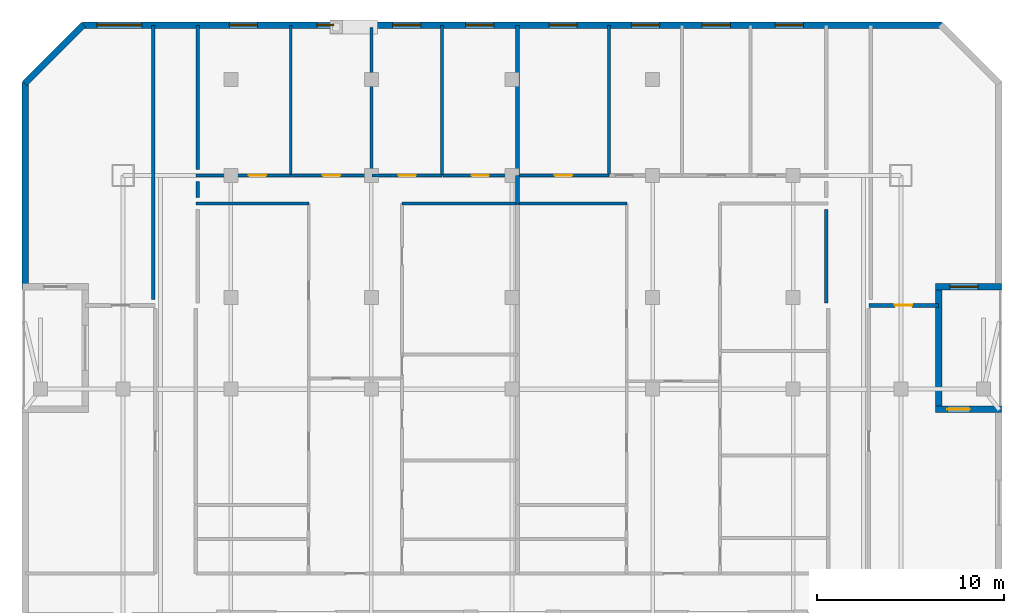
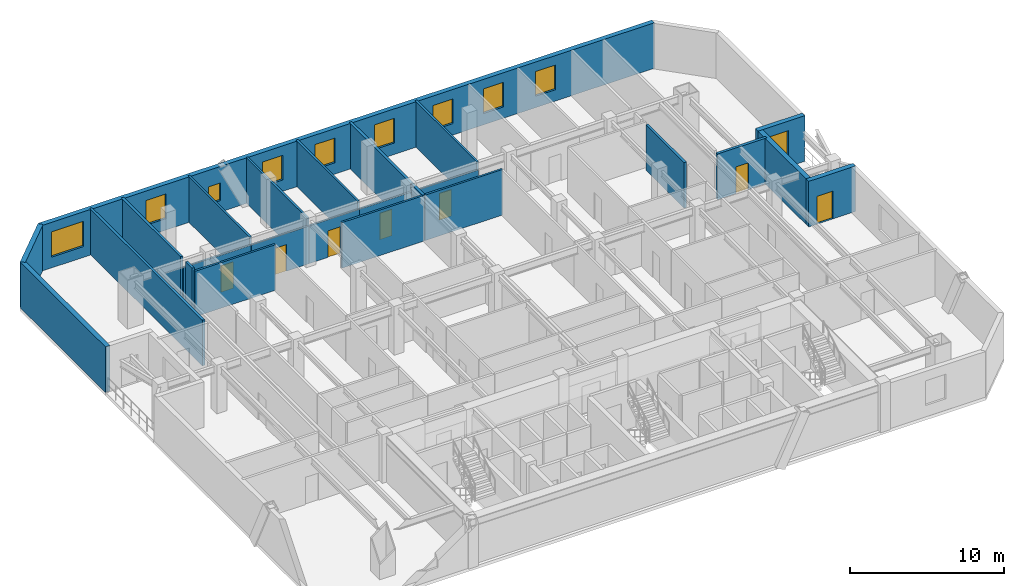
# One storey, part 6 of 9: 25 walls, 10 windows, 7 doors, 17 openings.
"""IFC4 building model written with IfcOpenShell, lengths in metres."""

from ifc_helpers import new_model, si_unit, direction, frame, frame_2d, origin, place, context, subcontext, project, spatial, rectangle, extrude, material, layer, layer_set, type_object, element, fill, save


model = new_model("IFC4")

# Units and contexts
model_context = context("Model", 3, precision=1e-05, world=origin(), true_north=direction((0.0, 1.0)))
body_context = subcontext(model_context, "Body", "Model", "MODEL_VIEW")
ifc_project = project(units=[si_unit("LENGTHUNIT", "METRE"), si_unit("AREAUNIT", "SQUARE_METRE"), si_unit("VOLUMEUNIT", "CUBIC_METRE"), si_unit("PLANEANGLEUNIT", "RADIAN"), si_unit("MASSUNIT", "GRAM", prefix="KILO")], contexts=[model_context])

# Site, building, storey
site_placement = place(None, origin())
site = spatial("IfcSite", under=ifc_project, at=site_placement, CompositionType="ELEMENT")
building_placement = place(site_placement, origin())
building = spatial("IfcBuilding", under=site, at=building_placement, Name="Ventersveld Concourse Tower", CompositionType="ELEMENT")
storey_placement = place(building_placement, frame((0.0, 0.0, 108.0)))
storey = spatial("IfcBuildingStorey", under=building, at=storey_placement, Name="L26", CompositionType="ELEMENT", Elevation=108.0)

# Walls
ifc_material_1 = material(Name="Fire-rated autoclaved aerated masonry blockwork", Category="masonry")
ifc_layer_1 = layer(ifc_material_1, 0.179931640625)
ifc_layer_set_1 = layer_set([ifc_layer_1], Name="Fire-rated autoclaved aerated masonry blockwork")
wall_type_1 = type_object("IfcWallType", Name="WL-CORR-180", PredefinedType="PARTITIONING", material=ifc_layer_set_1)
wall_1_placement = place(storey_placement, frame((9.6201171875, 42.989990234375, 0.0), z_axis=(0.0, 0.0, 1.0), x_axis=(0.0, -1.0, 0.0)))
element("IfcWall", 1, at=wall_1_placement, inside=storey, type_object=wall_type_1, Name="L26 Room Enclosure Wall SP-L26-NWLNG2", PredefinedType="PARTITIONING", context=body_context, shape_type="SweptSolid", body=[
    extrude(rectangle(XDim=14.594970703125, YDim=0.179931640625, at=frame_2d((7.29736328125, 0.0))), origin(), (0.0, 0.0, 1.0), 3.60009765625),
])
wall_2_placement = place(storey_placement, frame((11.97998046875, 33.824951171875, 0.0), z_axis=(0.0, 0.0, 1.0), x_axis=(0.0, 1.0, 0.0)))
element("IfcWall", 2, at=wall_2_placement, inside=storey, type_object=wall_type_1, Name="L26 Room Enclosure Wall SP-L26-26N1-LIV", PredefinedType="PARTITIONING", context=body_context, shape_type="SweptSolid", body=[
    extrude(rectangle(XDim=0.85009765625, YDim=0.179931640625, at=frame_2d((0.425048828125, 0.0))), origin(), (0.0, 0.0, 1.0), 3.60009765625),
])
wall_3_placement = place(storey_placement, frame((11.97998046875, 35.324951171875, 0.0), z_axis=(0.0, 0.0, 1.0), x_axis=(0.0, 1.0, 0.0)))
element("IfcWall", 3, at=wall_3_placement, inside=storey, type_object=wall_type_1, Name="L26 Room Enclosure Wall SP-L26-26N1-BR1", PredefinedType="PARTITIONING", context=body_context, shape_type="SweptSolid", body=[
    extrude(rectangle(XDim=7.6650390625, YDim=0.179931640625, at=frame_2d((3.83251953125, 0.0))), origin(), (0.0, 0.0, 1.0), 3.60009765625),
])
wall_4_placement = place(storey_placement, frame((45.52001953125, 33.175048828125, 0.0), z_axis=(0.0, 0.0, 1.0), x_axis=(0.0, -1.0, 0.0)))
element("IfcWall", 4, at=wall_4_placement, inside=storey, type_object=wall_type_1, Name="L26 Room Enclosure Wall SP-L26-26N2-DENS2", PredefinedType="PARTITIONING", context=body_context, shape_type="SweptSolid", body=[
    extrude(rectangle(XDim=4.965087890625, YDim=0.179931640625, at=frame_2d((2.482421875, 0.0))), origin(), (0.0, 0.0, 1.0), 3.60009765625),
])

# Wall, opening, door
ifc_layer_2 = layer(ifc_material_1, 0.199951171875)
ifc_layer_set_2 = layer_set([ifc_layer_2], Name="Fire-rated autoclaved aerated masonry blockwork")
wall_type_2 = type_object("IfcWallType", Name="WL-DEMISE-200", PredefinedType="PARTITIONING", material=ifc_layer_set_2)
wall_5_placement = place(storey_placement, frame((47.784912109375, 28.070068359375, 0.0), z_axis=(0.0, 0.0, 1.0), x_axis=(1.0, 0.0, 0.0)))
wall_5 = element("IfcWall", 5, at=wall_5_placement, inside=storey, type_object=wall_type_2, Name="L26 Interior Partition SP-L26-NELNG1-SP-L26-NELNG2", PredefinedType="PARTITIONING", context=body_context, shape_type="SweptSolid", body=[
    extrude(rectangle(XDim=3.705078125, YDim=0.199951171875, at=frame_2d((1.8525390625, 0.0))), origin(), (0.0, 0.0, 1.0), 3.60009765625),
])
opening_1_placement = place(wall_5_placement, frame((1.392578125, 0.0, 0.0)))
opening_1 = element("IfcOpeningElement", 6, at=opening_1_placement, cuts=wall_5, Name="Opening ID1", PredefinedType="OPENING", context=body_context, shape_type="SweptSolid", body=[
    extrude(rectangle(XDim=0.919921875, YDim=2.10009765625, at=frame_2d((0.4599609375, 1.050048828125))), frame((0.0, 0.10986328125, 0.0), z_axis=(0.0, -1.0, 0.0), x_axis=(1.0, 0.0, 0.0)), (0.0, 0.0, 1.0), 0.219970703125),
])
ifc_material_2 = material(Name="Solid-core hardwood veneer timber", Category="wood")
door_type_1 = type_object("IfcDoorType", Name="DR-ROOM-092", OperationType="NOTDEFINED", PredefinedType="DOOR", material=ifc_material_2)
door_1_placement = place(opening_1_placement, origin())
door_1 = element("IfcDoor", 7, at=door_1_placement, inside=storey, type_object=door_type_1, Name="L26 Interior Door SP-L26-NELNG1 to SP-L26-NELNG2 (D-L26-1282)", OperationType="SINGLE_SWING_RIGHT", OverallHeight=2.10009765625, OverallWidth=0.919921875, PredefinedType="DOOR", context=body_context, shape_type="SweptSolid", body=[
    extrude(rectangle(XDim=0.919921875, YDim=2.10009765625, at=frame_2d((0.4599609375, 1.050048828125))), frame((0.0, 0.02490234375, 0.0), z_axis=(0.0, -1.0, 0.0), x_axis=(1.0, 0.0, 0.0)), (0.0, 0.0, 1.0), 0.050048828125),
])
fill(opening_1, door_1)

# Walls
wall_6_placement = place(storey_placement, frame((29.036865234375, 33.4951171875, 0.0), z_axis=(0.0, 0.0, 1.0), x_axis=(0.0, 1.0, 0.0)))
element("IfcWall", 8, at=wall_6_placement, inside=storey, type_object=wall_type_2, Name="L26 Interior Partition SP-L26-26N1-LIV-SP-L26-26N2-LIV", PredefinedType="PARTITIONING", context=body_context, shape_type="SweptSolid", body=[
    extrude(rectangle(XDim=1.509765625, YDim=0.199951171875, at=frame_2d((0.7548828125, 0.0))), origin(), (0.0, 0.0, 1.0), 3.60009765625),
])
wall_7_placement = place(storey_placement, frame((29.036865234375, 35.034912109375, 0.0), z_axis=(0.0, 0.0, 1.0), x_axis=(0.0, 1.0, 0.0)))
element("IfcWall", 9, at=wall_7_placement, inside=storey, type_object=wall_type_2, Name="L26 Interior Partition SP-L26-26N1-BR4-SP-L26-26N2-BR1", PredefinedType="PARTITIONING", context=body_context, shape_type="SweptSolid", body=[
    extrude(rectangle(XDim=7.955078125, YDim=0.199951171875, at=frame_2d((3.9775390625, 0.0))), origin(), (0.0, 0.0, 1.0), 3.60009765625),
])
ifc_material_3 = material(Name="Autoclaved aerated masonry blockwork", Category="masonry")
ifc_layer_3 = layer(ifc_material_3, 0.14990234375)
ifc_layer_set_3 = layer_set([ifc_layer_3], Name="Autoclaved aerated masonry blockwork")
wall_type_3 = type_object("IfcWallType", Name="WL-INT-150", PredefinedType="PARTITIONING", material=ifc_layer_set_3)
wall_8_placement = place(storey_placement, frame((11.885009765625, 33.5, 0.0), z_axis=(0.0, 0.0, 1.0), x_axis=(1.0, 0.0, 0.0)))
element("IfcWall", 10, at=wall_8_placement, inside=storey, type_object=wall_type_3, Name="L26 Interior Partition SP-L26-26N1-LIV-SP-L26-26N1-OFFL0", PredefinedType="PARTITIONING", context=body_context, shape_type="SweptSolid", body=[
    extrude(rectangle(XDim=6.02294921875, YDim=0.14990234375, at=frame_2d((3.011474609375, 0.0))), origin(), (0.0, 0.0, 1.0), 3.60009765625),
])
wall_9_placement = place(storey_placement, frame((22.8779296875, 33.5, 0.0), z_axis=(0.0, 0.0, 1.0), x_axis=(1.0, 0.0, 0.0)))
element("IfcWall", 11, at=wall_9_placement, inside=storey, type_object=wall_type_3, Name="L26 Interior Partition SP-L26-26N1-LIV-SP-L26-26N1-DENS2", PredefinedType="PARTITIONING", context=body_context, shape_type="SweptSolid", body=[
    extrude(rectangle(XDim=6.1640625, YDim=0.14990234375, at=frame_2d((3.08203125, 0.0))), origin(), (0.0, 0.0, 1.0), 3.60009765625),
])

# Wall, opening, door
wall_10_placement = place(storey_placement, frame((11.885009765625, 35.0, 0.0), z_axis=(0.0, 0.0, 1.0), x_axis=(1.0, 0.0, 0.0)))
wall_10 = element("IfcWall", 12, at=wall_10_placement, inside=storey, type_object=wall_type_3, Name="L26 Interior Partition SP-L26-26N1-LIV-SP-L26-26N1-BR1", PredefinedType="PARTITIONING", context=body_context, shape_type="SweptSolid", body=[
    extrude(rectangle(XDim=5.066650390625, YDim=0.14990234375, at=frame_2d((2.533203125, 0.0))), origin(), (0.0, 0.0, 1.0), 2.98291015625),
])
opening_2_placement = place(wall_10_placement, frame((2.83349609375, 0.0, 0.0)))
opening_2 = element("IfcOpeningElement", 13, at=opening_2_placement, cuts=wall_10, Name="Opening ID1", PredefinedType="OPENING", context=body_context, shape_type="SweptSolid", body=[
    extrude(rectangle(XDim=0.919921875, YDim=2.10009765625, at=frame_2d((0.4599609375, 1.050048828125))), frame((0.0, 0.0849609375, 0.0), z_axis=(0.0, -1.0, 0.0), x_axis=(1.0, 0.0, 0.0)), (0.0, 0.0, 1.0), 0.169921875),
])
door_2_placement = place(opening_2_placement, origin())
door_2 = element("IfcDoor", 14, at=door_2_placement, inside=storey, type_object=door_type_1, Name="L26 Interior Door SP-L26-26N1-LIV to SP-L26-26N1-BR1 (D-L26-1293)", OperationType="SINGLE_SWING_LEFT", OverallHeight=2.10009765625, OverallWidth=0.919921875, PredefinedType="DOOR", context=body_context, shape_type="SweptSolid", body=[
    extrude(rectangle(XDim=0.919921875, YDim=2.10009765625, at=frame_2d((0.4599609375, 1.050048828125))), frame((0.0, 0.02490234375, 0.0), z_axis=(0.0, -1.0, 0.0), x_axis=(1.0, 0.0, 0.0)), (0.0, 0.0, 1.0), 0.050048828125),
])
fill(opening_2, door_2)

wall_11_placement = place(storey_placement, frame((16.981689453125, 35.0, 0.0), z_axis=(0.0, 0.0, 1.0), x_axis=(1.0, 0.0, 0.0)))
wall_11 = element("IfcWall", 15, at=wall_11_placement, inside=storey, type_object=wall_type_3, Name="L26 Interior Partition SP-L26-26N1-LIV-SP-L26-26N1-BR2", PredefinedType="PARTITIONING", context=body_context, shape_type="SweptSolid", body=[
    extrude(rectangle(XDim=4.273193359375, YDim=0.14990234375, at=frame_2d((2.13671875, 0.0))), origin(), (0.0, 0.0, 1.0), 2.98291015625),
])
opening_3_placement = place(wall_11_placement, frame((1.676513671875, 0.0, 0.0)))
opening_3 = element("IfcOpeningElement", 16, at=opening_3_placement, cuts=wall_11, Name="Opening ID1", PredefinedType="OPENING", context=body_context, shape_type="SweptSolid", body=[
    extrude(rectangle(XDim=0.919921875, YDim=2.10009765625, at=frame_2d((0.4599609375, 1.050048828125))), frame((0.0, 0.0849609375, 0.0), z_axis=(0.0, -1.0, 0.0), x_axis=(1.0, 0.0, 0.0)), (0.0, 0.0, 1.0), 0.169921875),
])
door_3_placement = place(opening_3_placement, origin())
door_3 = element("IfcDoor", 17, at=door_3_placement, inside=storey, type_object=door_type_1, Name="L26 Interior Door SP-L26-26N1-LIV to SP-L26-26N1-BR2 (D-L26-1294)", OperationType="SINGLE_SWING_RIGHT", OverallHeight=2.10009765625, OverallWidth=0.919921875, PredefinedType="DOOR", context=body_context, shape_type="SweptSolid", body=[
    extrude(rectangle(XDim=0.919921875, YDim=2.10009765625, at=frame_2d((0.4599609375, 1.050048828125))), frame((0.0, 0.02490234375, 0.0), z_axis=(0.0, -1.0, 0.0), x_axis=(1.0, 0.0, 0.0)), (0.0, 0.0, 1.0), 0.050048828125),
])
fill(opening_3, door_3)

wall_12_placement = place(storey_placement, frame((21.284912109375, 35.0, 0.0), z_axis=(0.0, 0.0, 1.0), x_axis=(1.0, 0.0, 0.0)))
wall_12 = element("IfcWall", 18, at=wall_12_placement, inside=storey, type_object=wall_type_3, Name="L26 Interior Partition SP-L26-26N1-LIV-SP-L26-26N1-BR3", PredefinedType="PARTITIONING", context=body_context, shape_type="SweptSolid", body=[
    extrude(rectangle(XDim=3.743408203125, YDim=0.14990234375, at=frame_2d((1.87158203125, 0.0))), origin(), (0.0, 0.0, 1.0), 2.98291015625),
])
opening_4_placement = place(wall_12_placement, frame((1.41162109375, 0.0, 0.0)))
opening_4 = element("IfcOpeningElement", 19, at=opening_4_placement, cuts=wall_12, Name="Opening ID1", PredefinedType="OPENING", context=body_context, shape_type="SweptSolid", body=[
    extrude(rectangle(XDim=0.919921875, YDim=2.10009765625, at=frame_2d((0.4599609375, 1.050048828125))), frame((0.0, 0.0849609375, 0.0), z_axis=(0.0, -1.0, 0.0), x_axis=(1.0, 0.0, 0.0)), (0.0, 0.0, 1.0), 0.169921875),
])
door_4_placement = place(opening_4_placement, origin())
door_4 = element("IfcDoor", 20, at=door_4_placement, inside=storey, type_object=door_type_1, Name="L26 Interior Door SP-L26-26N1-LIV to SP-L26-26N1-BR3 (D-L26-1295)", OperationType="SINGLE_SWING_LEFT", OverallHeight=2.10009765625, OverallWidth=0.919921875, PredefinedType="DOOR", context=body_context, shape_type="SweptSolid", body=[
    extrude(rectangle(XDim=0.919921875, YDim=2.10009765625, at=frame_2d((0.4599609375, 1.050048828125))), frame((0.0, 0.02490234375, 0.0), z_axis=(0.0, -1.0, 0.0), x_axis=(1.0, 0.0, 0.0)), (0.0, 0.0, 1.0), 0.050048828125),
])
fill(opening_4, door_4)

wall_13_placement = place(storey_placement, frame((25.058349609375, 35.0, 0.0), z_axis=(0.0, 0.0, 1.0), x_axis=(1.0, 0.0, 0.0)))
wall_13 = element("IfcWall", 21, at=wall_13_placement, inside=storey, type_object=wall_type_3, Name="L26 Interior Partition SP-L26-26N1-LIV-SP-L26-26N1-BR4", PredefinedType="PARTITIONING", context=body_context, shape_type="SweptSolid", body=[
    extrude(rectangle(XDim=3.983642578125, YDim=0.14990234375, at=frame_2d((1.99169921875, 0.0))), origin(), (0.0, 0.0, 1.0), 2.98291015625),
])
opening_5_placement = place(wall_13_placement, frame((1.53173828125, 0.0, 0.0)))
opening_5 = element("IfcOpeningElement", 22, at=opening_5_placement, cuts=wall_13, Name="Opening ID1", PredefinedType="OPENING", context=body_context, shape_type="SweptSolid", body=[
    extrude(rectangle(XDim=0.919921875, YDim=2.10009765625, at=frame_2d((0.4599609375, 1.050048828125))), frame((0.0, 0.0849609375, 0.0), z_axis=(0.0, -1.0, 0.0), x_axis=(1.0, 0.0, 0.0)), (0.0, 0.0, 1.0), 0.169921875),
])
door_5_placement = place(opening_5_placement, origin())
door_5 = element("IfcDoor", 23, at=door_5_placement, inside=storey, type_object=door_type_1, Name="L26 Interior Door SP-L26-26N1-LIV to SP-L26-26N1-BR4 (D-L26-1296)", OperationType="SINGLE_SWING_RIGHT", OverallHeight=2.10009765625, OverallWidth=0.919921875, PredefinedType="DOOR", context=body_context, shape_type="SweptSolid", body=[
    extrude(rectangle(XDim=0.919921875, YDim=2.10009765625, at=frame_2d((0.4599609375, 1.050048828125))), frame((0.0, 0.02490234375, 0.0), z_axis=(0.0, -1.0, 0.0), x_axis=(1.0, 0.0, 0.0)), (0.0, 0.0, 1.0), 0.050048828125),
])
fill(opening_5, door_5)

# Walls
wall_14_placement = place(storey_placement, frame((16.94677734375, 34.9951171875, 0.0), z_axis=(0.0, 0.0, 1.0), x_axis=(0.0, 1.0, 0.0)))
element("IfcWall", 24, at=wall_14_placement, inside=storey, type_object=wall_type_3, Name="L26 Interior Partition SP-L26-26N1-BR1-SP-L26-26N1-BR2", PredefinedType="PARTITIONING", context=body_context, shape_type="SweptSolid", body=[
    extrude(rectangle(XDim=7.994873046875, YDim=0.14990234375, at=frame_2d((3.99755859375, 0.0))), origin(), (0.0, 0.0, 1.0), 3.60009765625),
])
wall_15_placement = place(storey_placement, frame((21.25, 34.9951171875, 0.0), z_axis=(0.0, 0.0, 1.0), x_axis=(0.0, 1.0, 0.0)))
element("IfcWall", 25, at=wall_15_placement, inside=storey, type_object=wall_type_3, Name="L26 Interior Partition SP-L26-26N1-BR2-SP-L26-26N1-BR3", PredefinedType="PARTITIONING", context=body_context, shape_type="SweptSolid", body=[
    extrude(rectangle(XDim=7.906982421875, YDim=0.14990234375, at=frame_2d((3.95361328125, 0.0))), origin(), (0.0, 0.0, 1.0), 3.60009765625),
])
wall_16_placement = place(storey_placement, frame((25.0234375, 34.9951171875, 0.0), z_axis=(0.0, 0.0, 1.0), x_axis=(0.0, 1.0, 0.0)))
element("IfcWall", 26, at=wall_16_placement, inside=storey, type_object=wall_type_3, Name="L26 Interior Partition SP-L26-26N1-BR3-SP-L26-26N1-BR4", PredefinedType="PARTITIONING", context=body_context, shape_type="SweptSolid", body=[
    extrude(rectangle(XDim=7.994873046875, YDim=0.14990234375, at=frame_2d((3.99755859375, 0.0))), origin(), (0.0, 0.0, 1.0), 3.60009765625),
])
wall_17_placement = place(storey_placement, frame((29.072021484375, 33.5, 0.0), z_axis=(0.0, 0.0, 1.0), x_axis=(1.0, 0.0, 0.0)))
element("IfcWall", 27, at=wall_17_placement, inside=storey, type_object=wall_type_3, Name="L26 Interior Partition SP-L26-26N2-LIV-SP-L26-26N2-OFFL0", PredefinedType="PARTITIONING", context=body_context, shape_type="SweptSolid", body=[
    extrude(rectangle(XDim=5.800537109375, YDim=0.14990234375, at=frame_2d((2.900390625, 0.0))), origin(), (0.0, 0.0, 1.0), 3.60009765625),
])

# Wall, opening, door
wall_18_placement = place(storey_placement, frame((29.072021484375, 35.0, 0.0), z_axis=(0.0, 0.0, 1.0), x_axis=(1.0, 0.0, 0.0)))
wall_18 = element("IfcWall", 28, at=wall_18_placement, inside=storey, type_object=wall_type_3, Name="L26 Interior Partition SP-L26-26N2-LIV-SP-L26-26N2-BR1", PredefinedType="PARTITIONING", context=body_context, shape_type="SweptSolid", body=[
    extrude(rectangle(XDim=4.856201171875, YDim=0.14990234375, at=frame_2d((2.42822265625, 0.0))), origin(), (0.0, 0.0, 1.0), 2.98291015625),
])
opening_6_placement = place(wall_18_placement, frame((1.96826171875, 0.0, 0.0)))
opening_6 = element("IfcOpeningElement", 29, at=opening_6_placement, cuts=wall_18, Name="Opening ID1", PredefinedType="OPENING", context=body_context, shape_type="SweptSolid", body=[
    extrude(rectangle(XDim=0.919921875, YDim=2.10009765625, at=frame_2d((0.4599609375, 1.050048828125))), frame((0.0, 0.0849609375, 0.0), z_axis=(0.0, -1.0, 0.0), x_axis=(1.0, 0.0, 0.0)), (0.0, 0.0, 1.0), 0.169921875),
])
door_6_placement = place(opening_6_placement, origin())
door_6 = element("IfcDoor", 30, at=door_6_placement, inside=storey, type_object=door_type_1, Name="L26 Interior Door SP-L26-26N2-LIV to SP-L26-26N2-BR1 (D-L26-1307)", OperationType="SINGLE_SWING_LEFT", OverallHeight=2.10009765625, OverallWidth=0.919921875, PredefinedType="DOOR", context=body_context, shape_type="SweptSolid", body=[
    extrude(rectangle(XDim=0.919921875, YDim=2.10009765625, at=frame_2d((0.4599609375, 1.050048828125))), frame((0.0, 0.02490234375, 0.0), z_axis=(0.0, -1.0, 0.0), x_axis=(1.0, 0.0, 0.0)), (0.0, 0.0, 1.0), 0.050048828125),
])
fill(opening_6, door_6)

# Wall
wall_19_placement = place(storey_placement, frame((33.92333984375, 34.9951171875, 0.0), z_axis=(0.0, 0.0, 1.0), x_axis=(0.0, 1.0, 0.0)))
element("IfcWall", 31, at=wall_19_placement, inside=storey, type_object=wall_type_3, Name="L26 Interior Partition SP-L26-26N2-BR1-SP-L26-26N2-BR2", PredefinedType="PARTITIONING", context=body_context, shape_type="SweptSolid", body=[
    extrude(rectangle(XDim=7.994873046875, YDim=0.14990234375, at=frame_2d((3.99755859375, 0.0))), origin(), (0.0, 0.0, 1.0), 3.60009765625),
])

# Wall, opening, door
ifc_material_4 = material(Name="Precast concrete C45/55", Category="concrete")
ifc_layer_4 = layer(ifc_material_4, 0.35009765625)
ifc_layer_set_4 = layer_set([ifc_layer_4], Name="Precast concrete C45/55")
wall_type_4 = type_object("IfcWallType", Name="WL-PREC-350", PredefinedType="SOLIDWALL", material=ifc_layer_set_4)
wall_20_placement = place(storey_placement, frame((54.860107421875, 22.52490234375, 0.0), z_axis=(0.0, 0.0, 1.0), x_axis=(-1.0, 0.0, 0.0)))
wall_20 = element("IfcWall", 32, at=wall_20_placement, inside=storey, type_object=wall_type_4, Name="L26 Highveld Precast Facade Wall E04", PredefinedType="SOLIDWALL", context=body_context, shape_type="SweptSolid", body=[
    extrude(rectangle(XDim=3.510009765625, YDim=0.35009765625, at=frame_2d((1.7548828125, 0.0))), origin(), (0.0, 0.0, 1.0), 3.60009765625),
])
opening_7_placement = place(wall_20_placement, frame((1.681396484375, 0.0, 0.0)))
opening_7 = element("IfcOpeningElement", 33, at=opening_7_placement, cuts=wall_20, Name="Opening TD1", PredefinedType="OPENING", context=body_context, shape_type="SweptSolid", body=[
    extrude(rectangle(XDim=1.199951171875, YDim=2.199951171875, at=frame_2d((0.60009765625, 1.10009765625))), frame((0.0, 0.18505859375, 0.0), z_axis=(0.0, -1.0, 0.0), x_axis=(1.0, 0.0, 0.0)), (0.0, 0.0, 1.0), 0.3701171875),
])
ifc_material_5 = material(Name="Anodised aluminium EN AW-6063-T6", Category="aluminium")
door_type_2 = type_object("IfcDoorType", Name="DR-TERR-120", OperationType="NOTDEFINED", PredefinedType="DOOR", material=ifc_material_5)
door_7_placement = place(opening_7_placement, frame((1.199951171875, 0.0, 0.0), z_axis=(0.0, 0.0, 1.0), x_axis=(-1.0, 0.0, 0.0)))
door_7 = element("IfcDoor", 34, at=door_7_placement, inside=storey, type_object=door_type_2, Name="L26 Stepped Valley Terrace Door TD-L26-02", OperationType="SINGLE_SWING_RIGHT", OverallHeight=2.199951171875, OverallWidth=1.199951171875, PredefinedType="DOOR", context=body_context, shape_type="SweptSolid", body=[
    extrude(rectangle(XDim=1.199951171875, YDim=2.199951171875, at=frame_2d((0.60009765625, 1.10009765625))), frame((0.0, 0.02490234375, 0.0), z_axis=(0.0, -1.0, 0.0), x_axis=(1.0, 0.0, 0.0)), (0.0, 0.0, 1.0), 0.050048828125),
])
fill(opening_7, door_7)

# Wall
wall_21_placement = place(storey_placement, frame((51.52490234375, 22.699951171875, 0.0), z_axis=(0.0, 0.0, 1.0), x_axis=(0.0, 1.0, 0.0)))
element("IfcWall", 35, at=wall_21_placement, inside=storey, type_object=wall_type_4, Name="L26 Highveld Precast Facade Wall E05", PredefinedType="SOLIDWALL", context=body_context, shape_type="SweptSolid", body=[
    extrude(rectangle(XDim=6.199951171875, YDim=0.35009765625, at=frame_2d((3.10009765625, 0.0))), origin(), (0.0, 0.0, 1.0), 3.60009765625),
])

# Wall, opening, window
wall_22_placement = place(storey_placement, frame((51.35009765625, 29.074951171875, 0.0), z_axis=(0.0, 0.0, 1.0), x_axis=(1.0, 0.0, 0.0)))
wall_22 = element("IfcWall", 36, at=wall_22_placement, inside=storey, type_object=wall_type_4, Name="L26 Highveld Precast Facade Wall E06", PredefinedType="SOLIDWALL", context=body_context, shape_type="SweptSolid", body=[
    extrude(rectangle(XDim=3.510009765625, YDim=0.35009765625, at=frame_2d((1.7548828125, 0.0))), origin(), (0.0, 0.0, 1.0), 3.60009765625),
])
opening_8_placement = place(wall_22_placement, frame((0.77001953125, 0.0, 0.89990234375)))
opening_8 = element("IfcOpeningElement", 37, at=opening_8_placement, cuts=wall_22, Name="Opening W1", PredefinedType="OPENING", context=body_context, shape_type="SweptSolid", body=[
    extrude(rectangle(XDim=1.5, YDim=1.949951171875, at=frame_2d((0.75, 0.97509765625))), frame((0.0, 0.18505859375, 0.0), z_axis=(0.0, -1.0, 0.0), x_axis=(1.0, 0.0, 0.0)), (0.0, 0.0, 1.0), 0.3701171875),
])
ifc_material_6 = material(Name="Tempered acoustic Low-E IGU", Category="glass")
window_type_1 = type_object("IfcWindowType", Name="WIN-150x210", PartitioningType="SINGLE_PANEL", PredefinedType="WINDOW", material=ifc_material_6)
window_1_placement = place(opening_8_placement, origin())
window_1 = element("IfcWindow", 38, at=window_1_placement, inside=storey, type_object=window_type_1, Name="L26 Punched Low-E Window W-0310", OverallHeight=1.949951171875, OverallWidth=1.5, PartitioningType="SINGLE_PANEL", PredefinedType="WINDOW", context=body_context, shape_type="SweptSolid", body=[
    extrude(rectangle(XDim=1.5, YDim=1.949951171875, at=frame_2d((0.75, 0.97509765625))), frame((0.0, 0.030029296875, 0.0), z_axis=(0.0, -1.0, 0.0), x_axis=(1.0, 0.0, 0.0)), (0.0, 0.0, 1.0), 0.06005859375),
])
fill(opening_8, window_1)

# Wall, openings, windows
wall_23_placement = place(storey_placement, frame((51.659912109375, 43.02490234375, 0.0), z_axis=(0.0, 0.0, 1.0), x_axis=(-1.0, 0.0, 0.0)))
wall_23 = element("IfcWall", 39, at=wall_23_placement, inside=storey, type_object=wall_type_4, Name="L26 Highveld Precast Facade Wall E09", PredefinedType="SOLIDWALL", context=body_context, shape_type="SweptSolid", body=[
    extrude(rectangle(XDim=45.81982421875, YDim=0.35009765625, at=frame_2d((22.909912109375, 0.0))), origin(), (0.0, 0.0, 1.0), 3.60009765625),
])
opening_9_placement = place(wall_23_placement, frame((42.64990234375, 0.0, 0.85009765625)))
opening_9 = element("IfcOpeningElement", 40, at=opening_9_placement, cuts=wall_23, Name="Opening W5", PredefinedType="OPENING", context=body_context, shape_type="SweptSolid", body=[
    extrude(rectangle(XDim=2.39990234375, YDim=2.0, at=frame_2d((1.199951171875, 1.0))), frame((0.0, 0.18505859375, 0.0), z_axis=(0.0, -1.0, 0.0), x_axis=(1.0, 0.0, 0.0)), (0.0, 0.0, 1.0), 0.3701171875),
])
opening_10_placement = place(wall_23_placement, frame((36.49169921875, 0.0, 0.89990234375)))
opening_10 = element("IfcOpeningElement", 41, at=opening_10_placement, cuts=wall_23, Name="Opening W1", PredefinedType="OPENING", context=body_context, shape_type="SweptSolid", body=[
    extrude(rectangle(XDim=1.5, YDim=1.949951171875, at=frame_2d((0.75, 0.97509765625))), frame((0.0, 0.18505859375, 0.0), z_axis=(0.0, -1.0, 0.0), x_axis=(1.0, 0.0, 0.0)), (0.0, 0.0, 1.0), 0.3701171875),
])
opening_11_placement = place(wall_23_placement, frame((32.423583984375, 0.0, 0.89990234375)))
opening_11 = element("IfcOpeningElement", 42, at=opening_11_placement, cuts=wall_23, Name="Opening W8", PredefinedType="OPENING", context=body_context, shape_type="SweptSolid", body=[
    extrude(rectangle(XDim=0.89990234375, YDim=1.39990234375, at=frame_2d((0.449951171875, 0.699951171875))), frame((0.0, 0.18505859375, 0.0), z_axis=(0.0, -1.0, 0.0), x_axis=(1.0, 0.0, 0.0)), (0.0, 0.0, 1.0), 0.3701171875),
])
opening_12_placement = place(wall_23_placement, frame((27.773193359375, 0.0, 0.89990234375)))
opening_12 = element("IfcOpeningElement", 43, at=opening_12_placement, cuts=wall_23, Name="Opening W1", PredefinedType="OPENING", context=body_context, shape_type="SweptSolid", body=[
    extrude(rectangle(XDim=1.5, YDim=1.949951171875, at=frame_2d((0.75, 0.97509765625))), frame((0.0, 0.18505859375, 0.0), z_axis=(0.0, -1.0, 0.0), x_axis=(1.0, 0.0, 0.0)), (0.0, 0.0, 1.0), 0.3701171875),
])
opening_13_placement = place(wall_23_placement, frame((23.8798828125, 0.0, 0.89990234375)))
opening_13 = element("IfcOpeningElement", 44, at=opening_13_placement, cuts=wall_23, Name="Opening W1", PredefinedType="OPENING", context=body_context, shape_type="SweptSolid", body=[
    extrude(rectangle(XDim=1.5, YDim=1.949951171875, at=frame_2d((0.75, 0.97509765625))), frame((0.0, 0.18505859375, 0.0), z_axis=(0.0, -1.0, 0.0), x_axis=(1.0, 0.0, 0.0)), (0.0, 0.0, 1.0), 0.3701171875),
])
opening_14_placement = place(wall_23_placement, frame((19.429931640625, 0.0, 0.89990234375)))
opening_14 = element("IfcOpeningElement", 45, at=opening_14_placement, cuts=wall_23, Name="Opening W1", PredefinedType="OPENING", context=body_context, shape_type="SweptSolid", body=[
    extrude(rectangle(XDim=1.5, YDim=1.949951171875, at=frame_2d((0.75, 0.97509765625))), frame((0.0, 0.18505859375, 0.0), z_axis=(0.0, -1.0, 0.0), x_axis=(1.0, 0.0, 0.0)), (0.0, 0.0, 1.0), 0.3701171875),
])
opening_15_placement = place(wall_23_placement, frame((15.038818359375, 0.0, 0.89990234375)))
opening_15 = element("IfcOpeningElement", 46, at=opening_15_placement, cuts=wall_23, Name="Opening W1", PredefinedType="OPENING", context=body_context, shape_type="SweptSolid", body=[
    extrude(rectangle(XDim=1.5, YDim=1.949951171875, at=frame_2d((0.75, 0.97509765625))), frame((0.0, 0.18505859375, 0.0), z_axis=(0.0, -1.0, 0.0), x_axis=(1.0, 0.0, 0.0)), (0.0, 0.0, 1.0), 0.3701171875),
])
opening_16_placement = place(wall_23_placement, frame((11.26708984375, 0.0, 0.89990234375)))
opening_16 = element("IfcOpeningElement", 47, at=opening_16_placement, cuts=wall_23, Name="Opening W1", PredefinedType="OPENING", context=body_context, shape_type="SweptSolid", body=[
    extrude(rectangle(XDim=1.5, YDim=1.949951171875, at=frame_2d((0.75, 0.97509765625))), frame((0.0, 0.18505859375, 0.0), z_axis=(0.0, -1.0, 0.0), x_axis=(1.0, 0.0, 0.0)), (0.0, 0.0, 1.0), 0.3701171875),
])
opening_17_placement = place(wall_23_placement, frame((7.37158203125, 0.0, 0.89990234375)))
opening_17 = element("IfcOpeningElement", 48, at=opening_17_placement, cuts=wall_23, Name="Opening W1", PredefinedType="OPENING", context=body_context, shape_type="SweptSolid", body=[
    extrude(rectangle(XDim=1.5, YDim=1.949951171875, at=frame_2d((0.75, 0.97509765625))), frame((0.0, 0.18505859375, 0.0), z_axis=(0.0, -1.0, 0.0), x_axis=(1.0, 0.0, 0.0)), (0.0, 0.0, 1.0), 0.3701171875),
])
window_type_2 = type_object("IfcWindowType", Name="WIN-090x140", PartitioningType="SINGLE_PANEL", PredefinedType="WINDOW", material=ifc_material_6)
window_2_placement = place(opening_11_placement, origin())
window_2 = element("IfcWindow", 49, at=window_2_placement, inside=storey, type_object=window_type_2, Name="L26 Punched Low-E Window W-0312", OverallHeight=1.39990234375, OverallWidth=0.89990234375, PartitioningType="SINGLE_PANEL", PredefinedType="WINDOW", context=body_context, shape_type="SweptSolid", body=[
    extrude(rectangle(XDim=0.89990234375, YDim=1.39990234375, at=frame_2d((0.449951171875, 0.699951171875))), frame((0.0, 0.030029296875, 0.0), z_axis=(0.0, -1.0, 0.0), x_axis=(1.0, 0.0, 0.0)), (0.0, 0.0, 1.0), 0.06005859375),
])
fill(opening_11, window_2)
window_3_placement = place(opening_10_placement, origin())
window_3 = element("IfcWindow", 50, at=window_3_placement, inside=storey, type_object=window_type_1, Name="L26 Punched Low-E Window W-0311", OverallHeight=1.949951171875, OverallWidth=1.5, PartitioningType="SINGLE_PANEL", PredefinedType="WINDOW", context=body_context, shape_type="SweptSolid", body=[
    extrude(rectangle(XDim=1.5, YDim=1.949951171875, at=frame_2d((0.75, 0.97509765625))), frame((0.0, 0.030029296875, 0.0), z_axis=(0.0, -1.0, 0.0), x_axis=(1.0, 0.0, 0.0)), (0.0, 0.0, 1.0), 0.06005859375),
])
fill(opening_10, window_3)
window_4_placement = place(opening_12_placement, origin())
window_4 = element("IfcWindow", 51, at=window_4_placement, inside=storey, type_object=window_type_1, Name="L26 Punched Low-E Window W-0313", OverallHeight=1.949951171875, OverallWidth=1.5, PartitioningType="SINGLE_PANEL", PredefinedType="WINDOW", context=body_context, shape_type="SweptSolid", body=[
    extrude(rectangle(XDim=1.5, YDim=1.949951171875, at=frame_2d((0.75, 0.97509765625))), frame((0.0, 0.030029296875, 0.0), z_axis=(0.0, -1.0, 0.0), x_axis=(1.0, 0.0, 0.0)), (0.0, 0.0, 1.0), 0.06005859375),
])
fill(opening_12, window_4)
window_5_placement = place(opening_13_placement, origin())
window_5 = element("IfcWindow", 52, at=window_5_placement, inside=storey, type_object=window_type_1, Name="L26 Punched Low-E Window W-0314", OverallHeight=1.949951171875, OverallWidth=1.5, PartitioningType="SINGLE_PANEL", PredefinedType="WINDOW", context=body_context, shape_type="SweptSolid", body=[
    extrude(rectangle(XDim=1.5, YDim=1.949951171875, at=frame_2d((0.75, 0.97509765625))), frame((0.0, 0.030029296875, 0.0), z_axis=(0.0, -1.0, 0.0), x_axis=(1.0, 0.0, 0.0)), (0.0, 0.0, 1.0), 0.06005859375),
])
fill(opening_13, window_5)
window_6_placement = place(opening_14_placement, origin())
window_6 = element("IfcWindow", 53, at=window_6_placement, inside=storey, type_object=window_type_1, Name="L26 Punched Low-E Window W-0315", OverallHeight=1.949951171875, OverallWidth=1.5, PartitioningType="SINGLE_PANEL", PredefinedType="WINDOW", context=body_context, shape_type="SweptSolid", body=[
    extrude(rectangle(XDim=1.5, YDim=1.949951171875, at=frame_2d((0.75, 0.97509765625))), frame((0.0, 0.030029296875, 0.0), z_axis=(0.0, -1.0, 0.0), x_axis=(1.0, 0.0, 0.0)), (0.0, 0.0, 1.0), 0.06005859375),
])
fill(opening_14, window_6)
window_7_placement = place(opening_15_placement, origin())
window_7 = element("IfcWindow", 54, at=window_7_placement, inside=storey, type_object=window_type_1, Name="L26 Punched Low-E Window W-0316", OverallHeight=1.949951171875, OverallWidth=1.5, PartitioningType="SINGLE_PANEL", PredefinedType="WINDOW", context=body_context, shape_type="SweptSolid", body=[
    extrude(rectangle(XDim=1.5, YDim=1.949951171875, at=frame_2d((0.75, 0.97509765625))), frame((0.0, 0.030029296875, 0.0), z_axis=(0.0, -1.0, 0.0), x_axis=(1.0, 0.0, 0.0)), (0.0, 0.0, 1.0), 0.06005859375),
])
fill(opening_15, window_7)
window_8_placement = place(opening_16_placement, origin())
window_8 = element("IfcWindow", 55, at=window_8_placement, inside=storey, type_object=window_type_1, Name="L26 Punched Low-E Window W-0317", OverallHeight=1.949951171875, OverallWidth=1.5, PartitioningType="SINGLE_PANEL", PredefinedType="WINDOW", context=body_context, shape_type="SweptSolid", body=[
    extrude(rectangle(XDim=1.5, YDim=1.949951171875, at=frame_2d((0.75, 0.97509765625))), frame((0.0, 0.030029296875, 0.0), z_axis=(0.0, -1.0, 0.0), x_axis=(1.0, 0.0, 0.0)), (0.0, 0.0, 1.0), 0.06005859375),
])
fill(opening_16, window_8)
window_9_placement = place(opening_17_placement, origin())
window_9 = element("IfcWindow", 56, at=window_9_placement, inside=storey, type_object=window_type_1, Name="L26 Punched Low-E Window W-0318", OverallHeight=1.949951171875, OverallWidth=1.5, PartitioningType="SINGLE_PANEL", PredefinedType="WINDOW", context=body_context, shape_type="SweptSolid", body=[
    extrude(rectangle(XDim=1.5, YDim=1.949951171875, at=frame_2d((0.75, 0.97509765625))), frame((0.0, 0.030029296875, 0.0), z_axis=(0.0, -1.0, 0.0), x_axis=(1.0, 0.0, 0.0)), (0.0, 0.0, 1.0), 0.06005859375),
])
fill(opening_17, window_9)
window_type_3 = type_object("IfcWindowType", Name="WIN-240x210", PartitioningType="SINGLE_PANEL", PredefinedType="WINDOW", material=ifc_material_6)
window_10_placement = place(opening_9_placement, origin())
window_10 = element("IfcWindow", 57, at=window_10_placement, inside=storey, type_object=window_type_3, Name="L26 Punched Low-E Window W-0308", OverallHeight=2.0, OverallWidth=2.39990234375, PartitioningType="SINGLE_PANEL", PredefinedType="WINDOW", context=body_context, shape_type="SweptSolid", body=[
    extrude(rectangle(XDim=2.39990234375, YDim=2.0, at=frame_2d((1.199951171875, 1.0))), frame((0.0, 0.030029296875, 0.0), z_axis=(0.0, -1.0, 0.0), x_axis=(1.0, 0.0, 0.0)), (0.0, 0.0, 1.0), 0.06005859375),
])
fill(opening_9, window_10)

# Walls
wall_24_placement = place(storey_placement, frame((5.8955078125, 43.048095703125, 0.0), z_axis=(0.0, 0.0, 1.0), x_axis=(-0.707106781187, -0.707106781187, 0.0)))
element("IfcWall", 58, at=wall_24_placement, inside=storey, type_object=wall_type_4, Name="L26 Highveld Precast Facade Wall E10", PredefinedType="SOLIDWALL", context=body_context, shape_type="SweptSolid", body=[
    extrude(rectangle(XDim=4.445556640625, YDim=0.35009765625, at=frame_2d((2.22265625, 0.0))), origin(), (0.0, 0.0, 1.0), 3.60009765625),
])
wall_25_placement = place(storey_placement, frame((2.77490234375, 39.9599609375, 0.0), z_axis=(0.0, 0.0, 1.0), x_axis=(0.0, -1.0, 0.0)))
element("IfcWall", 59, at=wall_25_placement, inside=storey, type_object=wall_type_4, Name="L26 Highveld Precast Facade Wall E11", PredefinedType="SOLIDWALL", context=body_context, shape_type="SweptSolid", body=[
    extrude(rectangle(XDim=11.02001953125, YDim=0.35009765625, at=frame_2d((5.510009765625, 0.0))), origin(), (0.0, 0.0, 1.0), 3.60009765625),
])

save(model, "model.ifc")
